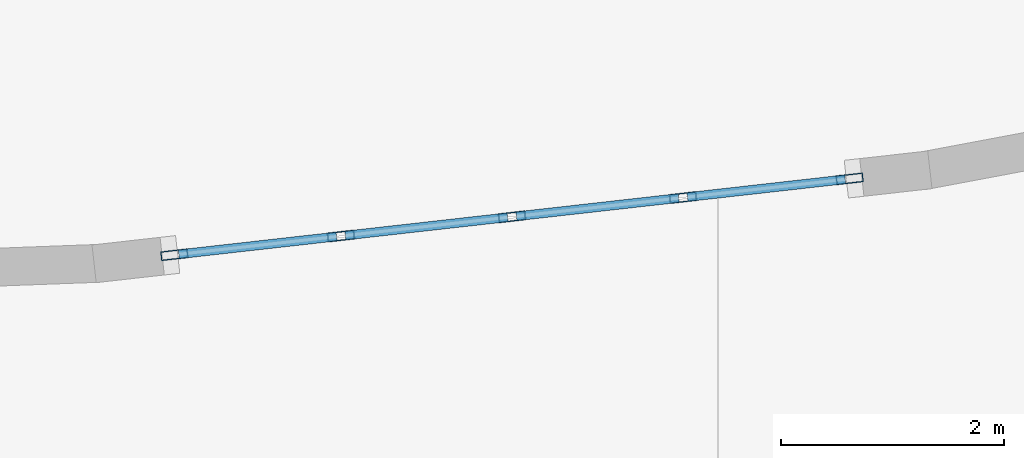
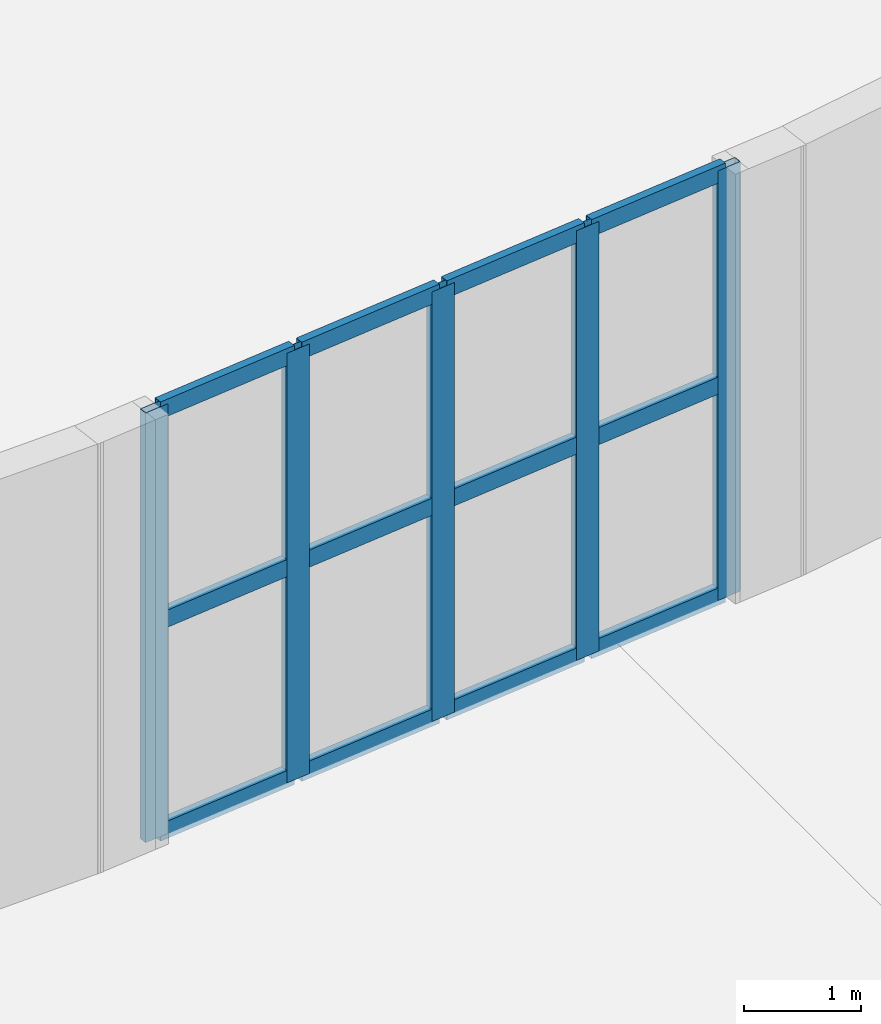
# One storey, part 6 of 32: 17 members, 1 element without a shape of its own.
"""IFC4 building model written with IfcOpenShell, lengths in metres."""

from ifc_helpers import new_model, si_unit, direction, frame, origin, origin_2d, place, context, subcontext, project, spatial, hollow_rectangle, extrude, material, layer, layer_set, material_profile, profile_set, type_object, element, aggregate, save


model = new_model("IFC4")

# Units and contexts
model_context = context("Model", 3, precision=1e-05, world=origin(), true_north=direction((0.0, 1.0)))
body_context = subcontext(model_context, "Body", "Model", "MODEL_VIEW")
ifc_project = project(units=[si_unit("LENGTHUNIT", "METRE"), si_unit("AREAUNIT", "SQUARE_METRE"), si_unit("VOLUMEUNIT", "CUBIC_METRE"), si_unit("PLANEANGLEUNIT", "RADIAN"), si_unit("MASSUNIT", "GRAM", prefix="KILO")], contexts=[model_context])

# Site, building, storey
site_placement = place(None, origin())
site = spatial("IfcSite", under=ifc_project, at=site_placement, CompositionType="ELEMENT")
building_placement = place(site_placement, origin())
building = spatial("IfcBuilding", under=site, at=building_placement, Name="Miruveldt Soraemaru", CompositionType="ELEMENT")
storey_placement = place(building_placement, origin())
storey = spatial("IfcBuildingStorey", under=building, at=storey_placement, Name="L01", CompositionType="ELEMENT", Elevation=0.0)

# Curtain wall, members
ifc_material = material(Name="Anodised aluminium EN AW-6063 T6", Category="aluminium")
ifc_layer = layer(ifc_material, 0.239990234375, Name="Anodised aluminium EN AW-6063 T6", Category="aluminium")
ifc_layer_set = layer_set([ifc_layer], Name="Anodised aluminium EN AW-6063 T6")
curtain_wall_type = type_object("IfcCurtainWallType", Name="CW-SYS-1", PredefinedType="USERDEFINED", material=ifc_layer_set)
curtain_wall_placement = place(storey_placement, origin())
curtain_wall = element("IfcCurtainWall", 1, at=curtain_wall_placement, inside=storey, type_object=curtain_wall_type, Name="L01 Curtain Wall Bay 26", ObjectType="STOREFRONT", PredefinedType="USERDEFINED")
ifc_material_profile_1 = material_profile(ifc_material, hollow_rectangle(XDim=0.080078125, YDim=0.239990234375, WallThickness=0.0048828125, at=origin_2d()), Name="Anodised aluminium EN AW-6063 T6", Category="aluminium")
ifc_profile_set_1 = profile_set([ifc_material_profile_1], Name="Anodised aluminium EN AW-6063 T6")
member_type_1 = type_object("IfcMemberType", Name="CWM-1", PredefinedType="MULLION", material=ifc_profile_set_1)
member_1_placement = place(storey_placement, frame((52.11962890625, 13.65966796875, 0.0), z_axis=(0.0, 0.0, 1.0), x_axis=(-0.111793375147, 0.993731473424, 0.0)))
member_1 = element("IfcMember", 2, at=member_1_placement, type_object=member_type_1, Name="CW-1 mullion 1", PredefinedType="MULLION", context=body_context, shape_type="SweptSolid", body=[
    extrude(hollow_rectangle(XDim=0.080078125, YDim=0.239990234375, WallThickness=0.0048828125, at=origin_2d()), origin(), (0.0, 0.0, 1.0), 4.5),
])
member_2_placement = place(storey_placement, frame((53.615478515625, 13.827880859375, 0.0), z_axis=(0.0, 0.0, 1.0), x_axis=(-0.111793375147, 0.993731473424, 0.0)))
member_2 = element("IfcMember", 3, at=member_2_placement, type_object=member_type_1, Name="CW-1 mullion 2", PredefinedType="MULLION", context=body_context, shape_type="SweptSolid", body=[
    extrude(hollow_rectangle(XDim=0.080078125, YDim=0.239990234375, WallThickness=0.0048828125, at=origin_2d()), origin(), (0.0, 0.0, 1.0), 4.5),
])
member_3_placement = place(storey_placement, frame((55.151123046875, 14.00048828125, 0.0), z_axis=(0.0, 0.0, 1.0), x_axis=(-0.111793375147, 0.993731473424, 0.0)))
member_3 = element("IfcMember", 4, at=member_3_placement, type_object=member_type_1, Name="CW-1 mullion 3", PredefinedType="MULLION", context=body_context, shape_type="SweptSolid", body=[
    extrude(hollow_rectangle(XDim=0.080078125, YDim=0.239990234375, WallThickness=0.0048828125, at=origin_2d()), origin(), (0.0, 0.0, 1.0), 4.5),
])
member_4_placement = place(storey_placement, frame((56.6865234375, 14.17333984375, 0.0), z_axis=(0.0, 0.0, 1.0), x_axis=(-0.111793375147, 0.993731473424, 0.0)))
member_4 = element("IfcMember", 5, at=member_4_placement, type_object=member_type_1, Name="CW-1 mullion 4", PredefinedType="MULLION", context=body_context, shape_type="SweptSolid", body=[
    extrude(hollow_rectangle(XDim=0.080078125, YDim=0.239990234375, WallThickness=0.0048828125, at=origin_2d()), origin(), (0.0, 0.0, 1.0), 4.5),
])
member_5_placement = place(storey_placement, frame((58.182373046875, 14.341552734375, 0.0), z_axis=(0.0, 0.0, 1.0), x_axis=(-0.111793375147, 0.993731473424, 0.0)))
member_5 = element("IfcMember", 6, at=member_5_placement, type_object=member_type_1, Name="CW-1 mullion 5", PredefinedType="MULLION", context=body_context, shape_type="SweptSolid", body=[
    extrude(hollow_rectangle(XDim=0.080078125, YDim=0.239990234375, WallThickness=0.0048828125, at=origin_2d()), origin(), (0.0, 0.0, 1.0), 4.5),
])
ifc_material_profile_2 = material_profile(ifc_material, hollow_rectangle(XDim=0.080078125, YDim=0.179931640625, WallThickness=0.00390625, at=origin_2d()), Name="Anodised aluminium EN AW-6063 T6", Category="aluminium")
ifc_profile_set_2 = profile_set([ifc_material_profile_2], Name="Anodised aluminium EN AW-6063 T6")
member_type_2 = type_object("IfcMemberType", Name="CWT-1", PredefinedType="USERDEFINED", material=ifc_profile_set_2)
member_6_placement = place(storey_placement, frame((52.159423828125, 13.6640625, 0.0400390625), z_axis=(0.993723939624, 0.111860322802, 0.0), x_axis=(-0.111860322802, 0.993723939624, 0.0)))
member_6 = element("IfcMember", 7, at=member_6_placement, type_object=member_type_2, Name="CW-1 transom 1.1", ObjectType="TRANSOM", PredefinedType="USERDEFINED", context=body_context, shape_type="SweptSolid", body=[
    extrude(hollow_rectangle(XDim=0.080078125, YDim=0.179931640625, WallThickness=0.00390625, at=origin_2d()), origin(), (0.0, 0.0, 1.0), 1.42529296875),
])
member_7_placement = place(storey_placement, frame((52.159423828125, 13.6640625, 2.25), z_axis=(0.993723939624, 0.111860322802, 0.0), x_axis=(-0.111860322802, 0.993723939624, 0.0)))
member_7 = element("IfcMember", 8, at=member_7_placement, type_object=member_type_2, Name="CW-1 transom 1.2", ObjectType="TRANSOM", PredefinedType="USERDEFINED", context=body_context, shape_type="SweptSolid", body=[
    extrude(hollow_rectangle(XDim=0.080078125, YDim=0.179931640625, WallThickness=0.00390625, at=origin_2d()), origin(), (0.0, 0.0, 1.0), 1.42529296875),
])
member_8_placement = place(storey_placement, frame((52.159423828125, 13.6640625, 4.4599609375), z_axis=(0.993723939624, 0.111860322802, 0.0), x_axis=(-0.111860322802, 0.993723939624, 0.0)))
member_8 = element("IfcMember", 9, at=member_8_placement, type_object=member_type_2, Name="CW-1 transom 1.3", ObjectType="TRANSOM", PredefinedType="USERDEFINED", context=body_context, shape_type="SweptSolid", body=[
    extrude(hollow_rectangle(XDim=0.080078125, YDim=0.179931640625, WallThickness=0.00390625, at=origin_2d()), origin(), (0.0, 0.0, 1.0), 1.42529296875),
])
member_9_placement = place(storey_placement, frame((53.6552734375, 13.832275390625, 0.0400390625), z_axis=(0.993730390593, 0.111803000015, 0.0), x_axis=(-0.111803000015, 0.993730390593, 0.0)))
member_9 = element("IfcMember", 10, at=member_9_placement, type_object=member_type_2, Name="CW-1 transom 2.1", ObjectType="TRANSOM", PredefinedType="USERDEFINED", context=body_context, shape_type="SweptSolid", body=[
    extrude(hollow_rectangle(XDim=0.080078125, YDim=0.179931640625, WallThickness=0.00390625, at=origin_2d()), origin(), (0.0, 0.0, 1.0), 1.46533203125),
])
member_10_placement = place(storey_placement, frame((53.6552734375, 13.832275390625, 2.25), z_axis=(0.993730390593, 0.111803000015, 0.0), x_axis=(-0.111803000015, 0.993730390593, 0.0)))
member_10 = element("IfcMember", 11, at=member_10_placement, type_object=member_type_2, Name="CW-1 transom 2.2", ObjectType="TRANSOM", PredefinedType="USERDEFINED", context=body_context, shape_type="SweptSolid", body=[
    extrude(hollow_rectangle(XDim=0.080078125, YDim=0.179931640625, WallThickness=0.00390625, at=origin_2d()), origin(), (0.0, 0.0, 1.0), 1.46533203125),
])
member_11_placement = place(storey_placement, frame((53.6552734375, 13.832275390625, 4.4599609375), z_axis=(0.993730390593, 0.111803000015, 0.0), x_axis=(-0.111803000015, 0.993730390593, 0.0)))
member_11 = element("IfcMember", 12, at=member_11_placement, type_object=member_type_2, Name="CW-1 transom 2.3", ObjectType="TRANSOM", PredefinedType="USERDEFINED", context=body_context, shape_type="SweptSolid", body=[
    extrude(hollow_rectangle(XDim=0.080078125, YDim=0.179931640625, WallThickness=0.00390625, at=origin_2d()), origin(), (0.0, 0.0, 1.0), 1.46533203125),
])
member_12_placement = place(storey_placement, frame((55.19091796875, 14.005126953125, 0.0400390625), z_axis=(0.993730390593, 0.111803000015, 0.0), x_axis=(-0.111803000015, 0.993730390593, 0.0)))
member_12 = element("IfcMember", 13, at=member_12_placement, type_object=member_type_2, Name="CW-1 transom 3.1", ObjectType="TRANSOM", PredefinedType="USERDEFINED", context=body_context, shape_type="SweptSolid", body=[
    extrude(hollow_rectangle(XDim=0.080078125, YDim=0.179931640625, WallThickness=0.00390625, at=origin_2d()), origin(), (0.0, 0.0, 1.0), 1.46533203125),
])
member_13_placement = place(storey_placement, frame((55.19091796875, 14.005126953125, 2.25), z_axis=(0.993730390593, 0.111803000015, 0.0), x_axis=(-0.111803000015, 0.993730390593, 0.0)))
member_13 = element("IfcMember", 14, at=member_13_placement, type_object=member_type_2, Name="CW-1 transom 3.2", ObjectType="TRANSOM", PredefinedType="USERDEFINED", context=body_context, shape_type="SweptSolid", body=[
    extrude(hollow_rectangle(XDim=0.080078125, YDim=0.179931640625, WallThickness=0.00390625, at=origin_2d()), origin(), (0.0, 0.0, 1.0), 1.46533203125),
])
member_14_placement = place(storey_placement, frame((55.19091796875, 14.005126953125, 4.4599609375), z_axis=(0.993730390593, 0.111803000015, 0.0), x_axis=(-0.111803000015, 0.993730390593, 0.0)))
member_14 = element("IfcMember", 15, at=member_14_placement, type_object=member_type_2, Name="CW-1 transom 3.3", ObjectType="TRANSOM", PredefinedType="USERDEFINED", context=body_context, shape_type="SweptSolid", body=[
    extrude(hollow_rectangle(XDim=0.080078125, YDim=0.179931640625, WallThickness=0.00390625, at=origin_2d()), origin(), (0.0, 0.0, 1.0), 1.46533203125),
])
member_15_placement = place(storey_placement, frame((56.726318359375, 14.177734375, 0.0400390625), z_axis=(0.993726082535, 0.111841284367, 0.0), x_axis=(-0.111841284367, 0.993726082535, 0.0)))
member_15 = element("IfcMember", 16, at=member_15_placement, type_object=member_type_2, Name="CW-1 transom 4.1", ObjectType="TRANSOM", PredefinedType="USERDEFINED", context=body_context, shape_type="SweptSolid", body=[
    extrude(hollow_rectangle(XDim=0.080078125, YDim=0.179931640625, WallThickness=0.00390625, at=origin_2d()), origin(), (0.0, 0.0, 1.0), 1.425537109375),
])
member_16_placement = place(storey_placement, frame((56.726318359375, 14.177734375, 2.25), z_axis=(0.993726082535, 0.111841284367, 0.0), x_axis=(-0.111841284367, 0.993726082535, 0.0)))
member_16 = element("IfcMember", 17, at=member_16_placement, type_object=member_type_2, Name="CW-1 transom 4.2", ObjectType="TRANSOM", PredefinedType="USERDEFINED", context=body_context, shape_type="SweptSolid", body=[
    extrude(hollow_rectangle(XDim=0.080078125, YDim=0.179931640625, WallThickness=0.00390625, at=origin_2d()), origin(), (0.0, 0.0, 1.0), 1.425537109375),
])
member_17_placement = place(storey_placement, frame((56.726318359375, 14.177734375, 4.4599609375), z_axis=(0.993726082535, 0.111841284367, 0.0), x_axis=(-0.111841284367, 0.993726082535, 0.0)))
member_17 = element("IfcMember", 18, at=member_17_placement, type_object=member_type_2, Name="CW-1 transom 4.3", ObjectType="TRANSOM", PredefinedType="USERDEFINED", context=body_context, shape_type="SweptSolid", body=[
    extrude(hollow_rectangle(XDim=0.080078125, YDim=0.179931640625, WallThickness=0.00390625, at=origin_2d()), origin(), (0.0, 0.0, 1.0), 1.425537109375),
])
aggregate(curtain_wall, [member_1, member_2, member_3, member_4, member_5, member_6, member_7, member_8, member_9, member_10, member_11, member_12, member_13, member_14, member_15, member_16, member_17])

save(model, "model.ifc")
